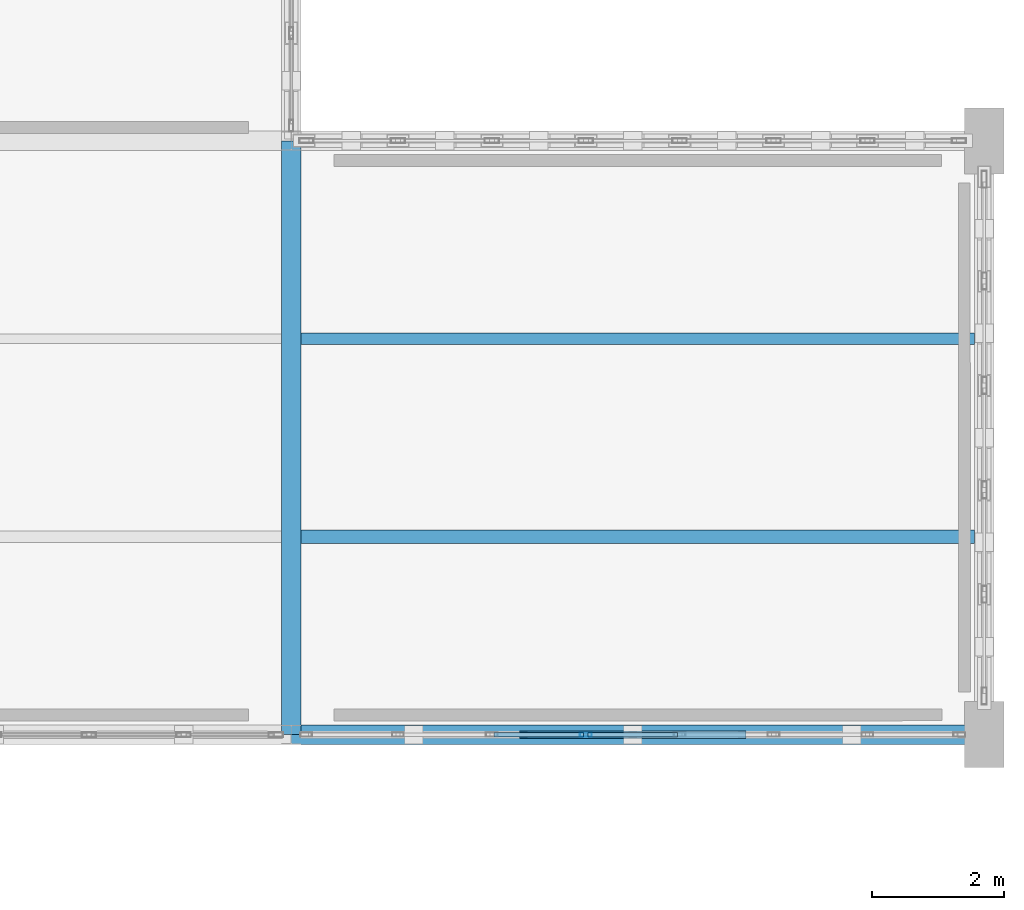
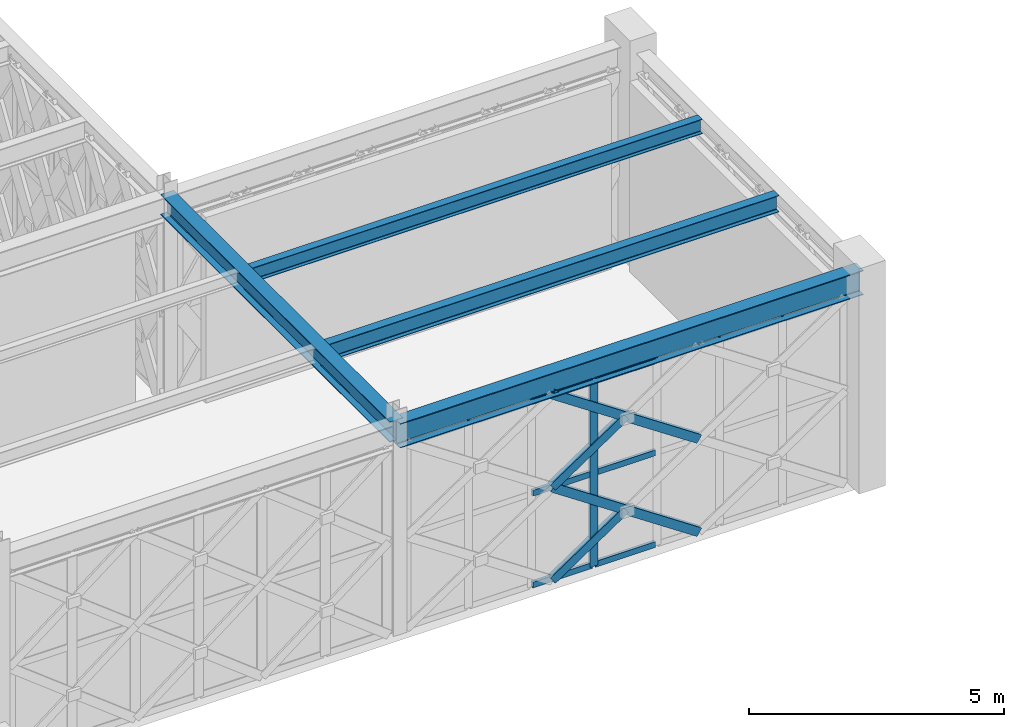
# One storey, part 107 of 155: 11 members, 4 beams, 1 element without a shape of its own.
"""IFC4 building model written with IfcOpenShell, lengths in metres."""

import ifcopenshell
import ifcopenshell.guid

model = None  # the IFC model being written
_history = None  # IfcOwnerHistory: only IFC2X3 demands one
_inside = {}  # id of a spatial element -> (the spatial element, [elements in it])
_under = {}  # id of a project, library or spatial element -> (it, [spatial elements below it])
_declared = {}  # id of a project -> (the project, [libraries it declares])
_typed = {}  # id of a type object -> (the type object, [elements of that type])
_made_of = {}  # id of a material, layer set ... -> (it, [elements and type objects made of it])


def new_model(schema):
    """Start an empty IFC model of exactly this schema.

    Asked for "IFC4X3", IfcOpenShell would pick the latest addendum, in which some entities
    have other attributes; the version numbers below select the first issue.
    IFC2X3 requires an IfcOwnerHistory on every rooted entity: one is made here for all.
    """
    global model, _history
    if schema == "IFC4X3":
        model = ifcopenshell.file(schema_version=(4, 3, 0, 0))
    else:
        model = ifcopenshell.file(schema=schema)
    _inside.clear()
    _under.clear()
    _declared.clear()
    _typed.clear()
    _made_of.clear()
    _history = None
    if model.schema == "IFC2X3":
        org = make("IfcOrganization", Name="unknown")
        user = make(
            "IfcPersonAndOrganization",
            ThePerson=make("IfcPerson", FamilyName="unknown"),
            TheOrganization=org,
        )
        app = make(
            "IfcApplication",
            ApplicationDeveloper=org,
            Version="unknown",
            ApplicationFullName="unknown",
            ApplicationIdentifier="unknown",
        )
        _history = make(
            "IfcOwnerHistory",
            OwningUser=user,
            OwningApplication=app,
            ChangeAction="ADDED",
            CreationDate=0,
        )
    return model


def make(cls, **values):
    """One entity of the class cls with the attributes given. An attribute that is None is left unset."""
    return model.create_entity(
        cls, **{name: value for name, value in values.items() if value is not None}
    )


def rooted(cls, **values):
    """An entity with a GlobalId (a new one), such as an element, a storey or a relation."""
    return make(cls, GlobalId=ifcopenshell.guid.new(), OwnerHistory=_history, **values)


def si_unit(unit_type, name, prefix=None):
    """IfcSIUnit, for example si_unit("LENGTHUNIT", "METRE", prefix="MILLI")."""
    return make("IfcSIUnit", UnitType=unit_type, Prefix=prefix, Name=name)


def assignment(units):
    """IfcUnitAssignment: the units of a project."""
    return None if units is None else make("IfcUnitAssignment", Units=units)


def point(xyz):
    """IfcCartesianPoint."""
    return None if xyz is None else make("IfcCartesianPoint", Coordinates=xyz)


def direction(xyz):
    """IfcDirection."""
    return None if xyz is None else make("IfcDirection", DirectionRatios=xyz)


def frame(location, z_axis=None, x_axis=None):
    """IfcAxis2Placement3D, a coordinate frame: its origin and axes. An axis left out is left unset."""
    return make(
        "IfcAxis2Placement3D",
        Location=point(location),
        Axis=direction(z_axis),
        RefDirection=direction(x_axis),
    )


def frame_2d(location, x_axis=None):
    """IfcAxis2Placement2D, a coordinate frame in the plane: its origin and x axis."""
    return make(
        "IfcAxis2Placement2D", Location=point(location), RefDirection=direction(x_axis)
    )


def origin():
    """The frame at (0, 0, 0) with its axes left unset."""
    return frame((0.0, 0.0, 0.0))


def origin_2d():
    """The frame at (0, 0) in the plane with its x axis left unset."""
    return frame_2d((0.0, 0.0))


def place(relative_to, where):
    """IfcLocalPlacement: puts the frame where relative to a parent placement (None: the world)."""
    return make(
        "IfcLocalPlacement", PlacementRelTo=relative_to, RelativePlacement=where
    )


def context(
    kind, dimensions, precision=None, world=None, true_north=None, identifier=None
):
    """IfcGeometricRepresentationContext, for example the 3D "Model" context."""
    return make(
        "IfcGeometricRepresentationContext",
        ContextIdentifier=identifier,
        ContextType=kind,
        CoordinateSpaceDimension=dimensions,
        Precision=precision,
        WorldCoordinateSystem=world,
        TrueNorth=true_north,
    )


def subcontext(parent, identifier, kind, view, scale=None):
    """IfcGeometricRepresentationSubContext, for example "Body" below "Model"."""
    return make(
        "IfcGeometricRepresentationSubContext",
        ContextIdentifier=identifier,
        ContextType=kind,
        ParentContext=parent,
        TargetScale=scale,
        TargetView=view,
    )


def project(units=None, contexts=None):
    """IfcProject with its units and contexts."""
    return rooted(
        "IfcProject",
        Name="project",
        RepresentationContexts=contexts,
        UnitsInContext=assignment(units),
    )


def spatial(cls, under=None, at=None, **own):
    """A site, building, storey or space (cls), placed at a placement, below another one or the project."""
    s = rooted(cls, ObjectPlacement=at, **own)
    if under is not None:
        _under.setdefault(under.id(), (under, []))[1].append(s)
    return s


def profile(cls, at=None, kind="AREA", **sizes):
    """A parametric profile (cls). Its sizes go by their IFC names, for example OverallWidth=200.0."""
    return make(cls, ProfileType=kind, Position=at, **sizes)


def hollow_rectangle(**sizes):
    """IfcRectangleHollowProfileDef."""
    return profile("IfcRectangleHollowProfileDef", **sizes)


def i_section(**sizes):
    """IfcIShapeProfileDef."""
    return profile("IfcIShapeProfileDef", **sizes)


def extrude(swept, where, along, depth):
    """IfcExtrudedAreaSolid: the profile swept, set in the frame where, extruded along a direction by depth."""
    return make(
        "IfcExtrudedAreaSolid",
        SweptArea=swept,
        Position=where,
        ExtrudedDirection=direction(along),
        Depth=depth,
    )


def shape(context_of_items, identifier, shape_type, items):
    """IfcShapeRepresentation: the items that make up one representation, for example the "Body"."""
    return make(
        "IfcShapeRepresentation",
        ContextOfItems=context_of_items,
        RepresentationIdentifier=identifier,
        RepresentationType=shape_type,
        Items=items,
    )


def material(Name=None, Category=None):
    """IfcMaterial."""
    return make("IfcMaterial", Name=Name, Category=Category)


def material_profile(
    of_material, cross_section, Name=None, Category=None, Priority=None
):
    """IfcMaterialProfile: a cross section and its material."""
    return make(
        "IfcMaterialProfile",
        Name=Name,
        Material=of_material,
        Profile=cross_section,
        Priority=Priority,
        Category=Category,
    )


def profile_set(profiles, Name=None, composite=None):
    """IfcMaterialProfileSet."""
    return make(
        "IfcMaterialProfileSet",
        Name=Name,
        MaterialProfiles=profiles,
        CompositeProfile=composite,
    )


def made_of(thing, what):
    """Note that an element or type object is made of a material, layer set ...; save() writes the relation."""
    if what is not None:
        _made_of.setdefault(what.id(), (what, []))[1].append(thing)
    return thing


def type_object(cls, material=None, **own):
    """A type object (cls), such as IfcWallType, which elements share."""
    return made_of(rooted(cls, **own), material)


def element(
    cls,
    number,
    at=None,
    inside=None,
    cuts=None,
    type_object=None,
    material=None,
    context=None,
    identifier="Body",
    shape_type=None,
    held_by="IfcProductDefinitionShape",
    body=None,
    shapes=None,
    **own,
):
    """One element of the class cls, such as IfcWall. Its Tag is "e" and its number.

    at: its placement. inside: the storey or other place that contains it. cuts: it is an
    opening in that element (IfcRelVoidsElement). A single representation is given by context,
    identifier, shape_type and body (its items); several are given by shapes. held_by: the class
    of the entity that holds the representations. save() writes the other relations.
    """
    e = rooted(cls, Tag="e%d" % number, ObjectPlacement=at, **own)
    if body is not None:
        shapes = [shape(context, identifier, shape_type, body)]
    if shapes is not None:
        e.Representation = make(held_by, Representations=shapes)
    if inside is not None:
        _inside.setdefault(inside.id(), (inside, []))[1].append(e)
    if cuts is not None:
        rooted(
            "IfcRelVoidsElement", RelatingBuildingElement=cuts, RelatedOpeningElement=e
        )
    if type_object is not None:
        _typed.setdefault(type_object.id(), (type_object, []))[1].append(e)
    return made_of(e, material)


def aggregate(whole, parts):
    """IfcRelAggregates: a whole, such as a stair, and the parts it consists of."""
    return rooted("IfcRelAggregates", RelatingObject=whole, RelatedObjects=parts)


def save(model, path):
    """Write the relations noted so far, then the file.

    IfcRelAggregates (storeys below a building ...), IfcRelContainedInSpatialStructure (elements
    in a storey), IfcRelDefinesByType, IfcRelAssociatesMaterial and IfcRelDeclares: one each for
    every whole, place, type object, material and project.
    """
    for whole, parts in _under.values():
        aggregate(whole, parts)
    for where, things in _inside.values():
        rooted(
            "IfcRelContainedInSpatialStructure",
            RelatedElements=things,
            RelatingStructure=where,
        )
    for kind, things in _typed.values():
        rooted("IfcRelDefinesByType", RelatedObjects=things, RelatingType=kind)
    for what, things in _made_of.values():
        rooted("IfcRelAssociatesMaterial", RelatedObjects=things, RelatingMaterial=what)
    for by, libraries in _declared.values():
        rooted("IfcRelDeclares", RelatingContext=by, RelatedDefinitions=libraries)
    model.write(path)


model = new_model("IFC4")

# Units and contexts
model_context = context("Model", 3, precision=1e-05, world=origin(), true_north=direction((0.0, 1.0)))
body_context = subcontext(model_context, "Body", "Model", "MODEL_VIEW")
ifc_project = project(units=[si_unit("LENGTHUNIT", "METRE"), si_unit("AREAUNIT", "SQUARE_METRE"), si_unit("VOLUMEUNIT", "CUBIC_METRE"), si_unit("PLANEANGLEUNIT", "RADIAN"), si_unit("MASSUNIT", "GRAM", prefix="KILO")], contexts=[model_context])

# Site, building, storey
site_placement = place(None, origin())
site = spatial("IfcSite", under=ifc_project, at=site_placement, CompositionType="ELEMENT")
building_placement = place(site_placement, origin())
building = spatial("IfcBuilding", under=site, at=building_placement, Name="Haizhuo Lancet Aquarium", CompositionType="ELEMENT")
storey_placement = place(building_placement, frame((0.0, 0.0, 10.800048828125)))
storey = spatial("IfcBuildingStorey", under=building, at=storey_placement, Name="L02", CompositionType="ELEMENT", Elevation=10.800048828125)

# Beams
ifc_material_1 = material(Name="Steel S355", Category="steel")
ifc_material_profile_1 = material_profile(ifc_material_1, i_section(OverallWidth=0.300048828125, OverallDepth=0.488037109375, WebThickness=0.010986328125, FlangeThickness=0.01806640625, FilletRadius=0.02392578125, at=origin_2d()), Name="HM 488x300x11x18")
ifc_profile_set_1 = profile_set([ifc_material_profile_1], Name="Steel S355")
beam_type_1 = type_object("IfcBeamType", Name="BM-ST-HM488", PredefinedType="BEAM", material=ifc_profile_set_1)
beam_1_placement = place(storey_placement, frame((72.0, 9.0, 4.805908203125), z_axis=(0.0, 1.0, 0.0), x_axis=(-1.0, 0.0, 0.0)))
element("IfcBeam", 1, at=beam_1_placement, inside=storey, type_object=beam_type_1, Name="L02 V7 primary girder BM-L02-V7-027", PredefinedType="BEAM", context=body_context, shape_type="SweptSolid", body=[
    extrude(i_section(OverallWidth=0.300048828125, OverallDepth=0.488037109375, WebThickness=0.010986328125, FlangeThickness=0.01806640625, FilletRadius=0.02392578125, at=origin_2d()), origin(), (0.0, 0.0, 1.0), 9.0),
])
ifc_material_profile_2 = material_profile(ifc_material_1, i_section(OverallWidth=0.300048828125, OverallDepth=0.587890625, WebThickness=0.011962890625, FlangeThickness=0.02001953125, FilletRadius=0.02587890625, at=origin_2d()), Name="HM 588x300x12x20")
ifc_profile_set_2 = profile_set([ifc_material_profile_2], Name="Steel S355")
beam_type_2 = type_object("IfcBeamType", Name="BM-ST-HM588", PredefinedType="BEAM", material=ifc_profile_set_2)
beam_2_placement = place(storey_placement, frame((72.0, 9.0, 4.755859375), z_axis=(1.0, 0.0, 0.0), x_axis=(0.0, 1.0, 0.0)))
element("IfcBeam", 2, at=beam_2_placement, inside=storey, type_object=beam_type_2, Name="L02 V7 primary girder BM-L02-V7-028", PredefinedType="BEAM", context=body_context, shape_type="SweptSolid", body=[
    extrude(i_section(OverallWidth=0.300048828125, OverallDepth=0.587890625, WebThickness=0.011962890625, FlangeThickness=0.02001953125, FilletRadius=0.02587890625, at=origin_2d()), origin(), (0.0, 0.0, 1.0), 10.5),
])

# Curtain wall, members
ifc_material_2 = material(Name="Aluminium 6063-T6", Category="aluminium")
curtain_wall_type = type_object("IfcCurtainWallType", Name="CWO-9960x4460", PredefinedType="NOTDEFINED", material=ifc_material_2)
curtain_wall_placement = place(storey_placement, origin())
curtain_wall = element("IfcCurtainWall", 3, at=curtain_wall_placement, inside=storey, type_object=curtain_wall_type, Name="L02 curtain wall CW-V7-L02-304", PredefinedType="NOTDEFINED")
ifc_material_profile_3 = material_profile(ifc_material_2, hollow_rectangle(XDim=0.06494140625, YDim=0.179931640625, WallThickness=0.00390625, at=origin_2d()), Name="ALU-M 65x180x4")
ifc_profile_set_3 = profile_set([ifc_material_profile_3], Name="Aluminium 6063-T6")
member_type_1 = type_object("IfcMemberType", Name="CW-MUL-1", PredefinedType="MULLION", material=ifc_profile_set_3)
member_1_placement = place(storey_placement, frame((76.464111328125, 9.0, 0.0), z_axis=(0.0, 0.0, 1.0), x_axis=(0.0, -1.0, 0.0)))
member_1 = element("IfcMember", 4, at=member_1_placement, type_object=member_type_1, Name="CWO-99x44 mullion 5", PredefinedType="MULLION", context=body_context, shape_type="SweptSolid", body=[
    extrude(hollow_rectangle(XDim=0.06494140625, YDim=0.179931640625, WallThickness=0.00390625, at=origin_2d()), origin(), (0.0, 0.0, 1.0), 4.4619140625),
])
ifc_material_profile_4 = material_profile(ifc_material_2, hollow_rectangle(XDim=0.06494140625, YDim=0.139892578125, WallThickness=0.00390625, at=origin_2d()), Name="ALU-T 65x140x4")
ifc_profile_set_4 = profile_set([ifc_material_profile_4], Name="Aluminium 6063-T6")
member_type_2 = type_object("IfcMemberType", Name="CW-TRN-1", PredefinedType="NOTDEFINED", material=ifc_profile_set_4)
member_2_placement = place(storey_placement, frame((77.85400390625, 9.0, 0.032958984375), z_axis=(-1.0, 0.0, 0.0), x_axis=(0.0, -1.0, 0.0)))
member_2 = element("IfcMember", 5, at=member_2_placement, type_object=member_type_2, Name="CWO-99x44 transom 4.1", ObjectType="TRANSOM", PredefinedType="USERDEFINED", context=body_context, shape_type="SweptSolid", body=[
    extrude(hollow_rectangle(XDim=0.06494140625, YDim=0.139892578125, WallThickness=0.00390625, at=origin_2d()), origin(), (0.0, 0.0, 1.0), 1.35791015625),
])
member_3_placement = place(storey_placement, frame((77.85400390625, 9.0, 2.23095703125), z_axis=(-1.0, 0.0, 0.0), x_axis=(0.0, -1.0, 0.0)))
member_3 = element("IfcMember", 6, at=member_3_placement, type_object=member_type_2, Name="CWO-99x44 transom 4.2", ObjectType="TRANSOM", PredefinedType="USERDEFINED", context=body_context, shape_type="SweptSolid", body=[
    extrude(hollow_rectangle(XDim=0.06494140625, YDim=0.139892578125, WallThickness=0.00390625, at=origin_2d()), origin(), (0.0, 0.0, 1.0), 1.35791015625),
])
member_4_placement = place(storey_placement, frame((77.85400390625, 9.0, 4.428955078125), z_axis=(-1.0, 0.0, 0.0), x_axis=(0.0, -1.0, 0.0)))
member_4 = element("IfcMember", 7, at=member_4_placement, type_object=member_type_2, Name="CWO-99x44 transom 4.3", ObjectType="TRANSOM", PredefinedType="USERDEFINED", context=body_context, shape_type="SweptSolid", body=[
    extrude(hollow_rectangle(XDim=0.06494140625, YDim=0.139892578125, WallThickness=0.00390625, at=origin_2d()), origin(), (0.0, 0.0, 1.0), 1.35791015625),
])
member_5_placement = place(storey_placement, frame((76.430908203125, 9.0, 0.032958984375), z_axis=(-1.0, 0.0, 0.0), x_axis=(0.0, -1.0, 0.0)))
member_5 = element("IfcMember", 8, at=member_5_placement, type_object=member_type_2, Name="CWO-99x44 transom 5.1", ObjectType="TRANSOM", PredefinedType="USERDEFINED", context=body_context, shape_type="SweptSolid", body=[
    extrude(hollow_rectangle(XDim=0.06494140625, YDim=0.139892578125, WallThickness=0.00390625, at=origin_2d()), origin(), (0.0, 0.0, 1.0), 1.35791015625),
])
member_6_placement = place(storey_placement, frame((76.430908203125, 9.0, 2.23095703125), z_axis=(-1.0, 0.0, 0.0), x_axis=(0.0, -1.0, 0.0)))
member_6 = element("IfcMember", 9, at=member_6_placement, type_object=member_type_2, Name="CWO-99x44 transom 5.2", ObjectType="TRANSOM", PredefinedType="USERDEFINED", context=body_context, shape_type="SweptSolid", body=[
    extrude(hollow_rectangle(XDim=0.06494140625, YDim=0.139892578125, WallThickness=0.00390625, at=origin_2d()), origin(), (0.0, 0.0, 1.0), 1.35791015625),
])
member_7_placement = place(storey_placement, frame((76.430908203125, 9.0, 4.428955078125), z_axis=(-1.0, 0.0, 0.0), x_axis=(0.0, -1.0, 0.0)))
member_7 = element("IfcMember", 10, at=member_7_placement, type_object=member_type_2, Name="CWO-99x44 transom 5.3", ObjectType="TRANSOM", PredefinedType="USERDEFINED", context=body_context, shape_type="SweptSolid", body=[
    extrude(hollow_rectangle(XDim=0.06494140625, YDim=0.139892578125, WallThickness=0.00390625, at=origin_2d()), origin(), (0.0, 0.0, 1.0), 1.35791015625),
])
aggregate(curtain_wall, [member_1, member_2, member_3, member_4, member_5, member_6, member_7])

# Beams
ifc_material_profile_5 = material_profile(ifc_material_1, i_section(OverallWidth=0.175048828125, OverallDepth=0.35009765625, WebThickness=0.007080078125, FlangeThickness=0.010986328125, FilletRadius=0.013916015625, at=origin_2d()), Name="HN 350x175x7x11")
ifc_profile_set_5 = profile_set([ifc_material_profile_5], Name="Steel S355")
beam_type_3 = type_object("IfcBeamType", Name="JST-ST-HN350", PredefinedType="JOIST", material=ifc_profile_set_5)
beam_3_placement = place(storey_placement, frame((72.14990234375, 15.0, 4.875), z_axis=(1.0, 0.0, 0.0), x_axis=(0.0, 1.0, 0.0)))
element("IfcBeam", 11, at=beam_3_placement, inside=storey, type_object=beam_type_3, Name="L02 V7 secondary floor joist 20", PredefinedType="JOIST", context=body_context, shape_type="SweptSolid", body=[
    extrude(i_section(OverallWidth=0.175048828125, OverallDepth=0.35009765625, WebThickness=0.007080078125, FlangeThickness=0.010986328125, FilletRadius=0.013916015625, at=origin_2d()), origin(), (0.0, 0.0, 1.0), 10.2001953125),
])
ifc_material_profile_6 = material_profile(ifc_material_1, i_section(OverallWidth=0.199951171875, OverallDepth=0.39990234375, WebThickness=0.008056640625, FlangeThickness=0.012939453125, FilletRadius=0.01611328125, at=origin_2d()), Name="HN 400x200x8x13")
ifc_profile_set_6 = profile_set([ifc_material_profile_6], Name="Steel S355")
beam_type_4 = type_object("IfcBeamType", Name="JST-ST-HN400", PredefinedType="JOIST", material=ifc_profile_set_6)
beam_4_placement = place(storey_placement, frame((72.14990234375, 12.0, 4.849853515625), z_axis=(1.0, 0.0, 0.0), x_axis=(0.0, 1.0, 0.0)))
element("IfcBeam", 12, at=beam_4_placement, inside=storey, type_object=beam_type_4, Name="L02 V7 secondary floor joist 19", PredefinedType="JOIST", context=body_context, shape_type="SweptSolid", body=[
    extrude(i_section(OverallWidth=0.199951171875, OverallDepth=0.39990234375, WebThickness=0.008056640625, FlangeThickness=0.012939453125, FilletRadius=0.01611328125, at=origin_2d()), origin(), (0.0, 0.0, 1.0), 10.2001953125),
])

# Members
ifc_material_profile_7 = material_profile(ifc_material_1, hollow_rectangle(XDim=0.1201171875, YDim=0.199951171875, WallThickness=0.008056640625, at=origin_2d()), Name="RHS 120x200x8")
ifc_profile_set_7 = profile_set([ifc_material_profile_7], Name="Steel S355")
member_type_3 = type_object("IfcMemberType", Name="MEM-LB-RHS120x200", PredefinedType="BRACE", material=ifc_profile_set_7)
member_8_placement = place(storey_placement, frame((78.8349609375, 9.0, 0.0), z_axis=(-0.83001648844, 0.0, 0.557738853692), x_axis=(0.0, -1.0, 0.0)))
element("IfcMember", 13, at=member_8_placement, inside=storey, type_object=member_type_3, Name="Gothic lancet continuous diagonal brace CW-V7-L02-304 3A", PredefinedType="BRACE", context=body_context, shape_type="SweptSolid", body=[
    extrude(hollow_rectangle(XDim=0.1201171875, YDim=0.199951171875, WallThickness=0.008056640625, at=origin_2d()), origin(), (0.0, 0.0, 1.0), 4.0),
])
member_9_placement = place(storey_placement, frame((75.514892578125, 9.0, 0.0), z_axis=(0.829922460032, 0.0, 0.55787875953), x_axis=(0.0, 1.0, 0.0)))
element("IfcMember", 14, at=member_9_placement, inside=storey, type_object=member_type_3, Name="Gothic lancet split diagonal brace CW-V7-L02-304 3B1", PredefinedType="BRACE", context=body_context, shape_type="SweptSolid", body=[
    extrude(hollow_rectangle(XDim=0.1201171875, YDim=0.199951171875, WallThickness=0.008056640625, at=origin_2d()), origin(), (0.0, 0.0, 1.0), 2.00048828125),
])
member_10_placement = place(storey_placement, frame((78.8349609375, 9.0, 2.23095703125), z_axis=(-0.83001648844, 0.0, 0.557738853692), x_axis=(0.0, -1.0, 0.0)))
element("IfcMember", 15, at=member_10_placement, inside=storey, type_object=member_type_3, Name="Gothic lancet continuous diagonal brace CW-V7-L02-304 4A", PredefinedType="BRACE", context=body_context, shape_type="SweptSolid", body=[
    extrude(hollow_rectangle(XDim=0.1201171875, YDim=0.199951171875, WallThickness=0.008056640625, at=origin_2d()), origin(), (0.0, 0.0, 1.0), 4.0),
])
member_11_placement = place(storey_placement, frame((75.514892578125, 9.0, 2.23095703125), z_axis=(0.83014848336, 0.0, 0.557542371103), x_axis=(0.0, 1.0, 0.0)))
element("IfcMember", 16, at=member_11_placement, inside=storey, type_object=member_type_3, Name="Gothic lancet split diagonal brace CW-V7-L02-304 4B1", PredefinedType="BRACE", context=body_context, shape_type="SweptSolid", body=[
    extrude(hollow_rectangle(XDim=0.1201171875, YDim=0.199951171875, WallThickness=0.008056640625, at=origin_2d()), origin(), (0.0, 0.0, 1.0), 1.999755859375),
])

save(model, "model.ifc")
